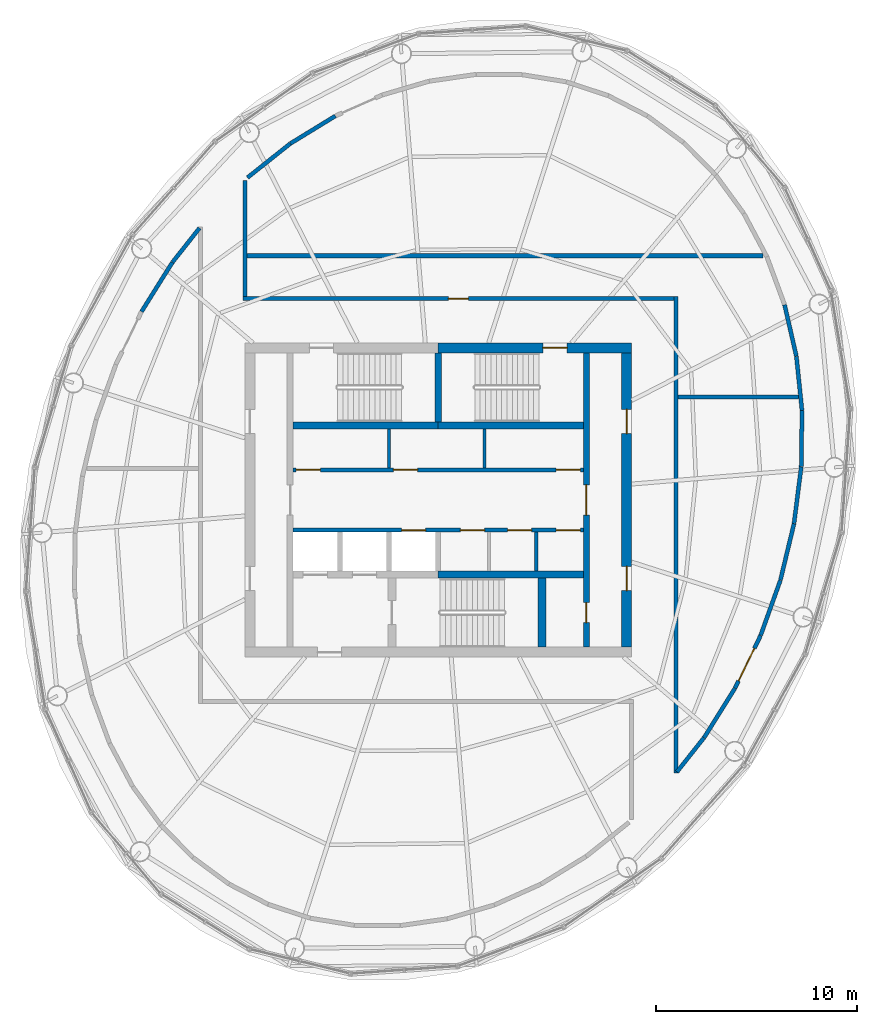
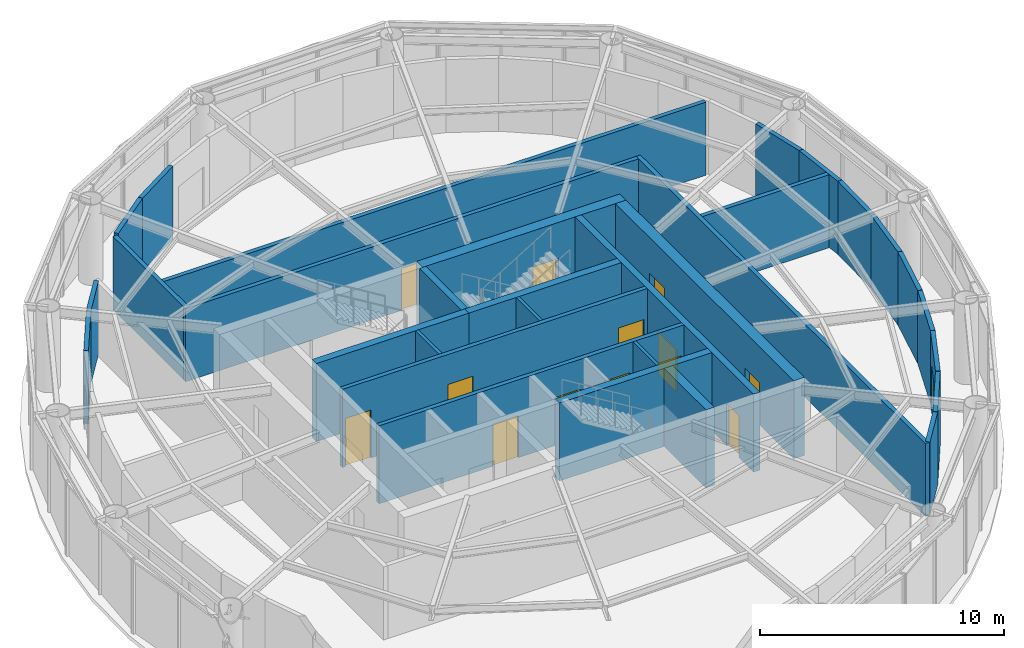
# One storey, part 9 of 11: 31 walls, 14 doors, 14 openings.
"""IFC4 building model written with IfcOpenShell, lengths in metres."""

from ifc_helpers import new_model, si_unit, direction, frame, frame_2d, origin, place, context, subcontext, project, spatial, rectangle, extrude, material, layer, layer_set, type_object, element, fill, save


model = new_model("IFC4")

# Units and contexts
model_context = context("Model", 3, precision=1e-05, world=origin(), true_north=direction((0.0, 1.0)))
body_context = subcontext(model_context, "Body", "Model", "MODEL_VIEW")
ifc_project = project(units=[si_unit("LENGTHUNIT", "METRE"), si_unit("AREAUNIT", "SQUARE_METRE"), si_unit("VOLUMEUNIT", "CUBIC_METRE"), si_unit("PLANEANGLEUNIT", "RADIAN"), si_unit("MASSUNIT", "GRAM", prefix="KILO")], contexts=[model_context])

# Site, building, storey
site_placement = place(None, origin())
site = spatial("IfcSite", under=ifc_project, at=site_placement, CompositionType="ELEMENT")
building_placement = place(site_placement, origin())
building = spatial("IfcBuilding", under=site, at=building_placement, Name="Vermilion Reach Broadcast Tower", CompositionType="ELEMENT")
storey_placement = place(building_placement, frame((0.0, 0.0, 321.300048828125)))
storey = spatial("IfcBuildingStorey", under=building, at=storey_placement, Name="L80 CROWN", CompositionType="ELEMENT", Elevation=321.300048828125)

# Wall, openings, doors
ifc_material_1 = material(Name="Concrete C50", Category="concrete")
ifc_layer_1 = layer(ifc_material_1, 0.300048828125)
ifc_layer_set_1 = layer_set([ifc_layer_1], Name="Core inner wall 300 mm Concrete C50")
wall_type_1 = type_object("IfcWallType", Name="Core inner wall 300 mm Concrete C50", PredefinedType="SHEAR", material=ifc_layer_set_1)
wall_1_placement = place(storey_placement, frame((1.35009765625, -7.300048828125, 0.0), z_axis=(0.0, 0.0, 1.0), x_axis=(0.0, 1.0, 0.0)))
wall_1 = element("IfcWall", 1, at=wall_1_placement, inside=storey, type_object=wall_type_1, Name="L80 CROWN core wall ewE", PredefinedType="SHEAR", context=body_context, shape_type="SweptSolid", body=[
    extrude(rectangle(XDim=14.60009765625, YDim=0.300048828125, at=frame_2d((7.300048828125, 0.0))), origin(), (0.0, 0.0, 1.0), 3.89990234375),
])
opening_1_placement = place(wall_1_placement, frame((1.2099609375, 0.0, 0.0)))
opening_1 = element("IfcOpeningElement", 2, at=opening_1_placement, cuts=wall_1, Name="Opening D05", PredefinedType="OPENING", context=body_context, shape_type="SweptSolid", body=[
    extrude(rectangle(XDim=1.0, YDim=2.10009765625, at=frame_2d((0.5, 1.050048828125))), frame((0.0, 0.159912109375, 0.0), z_axis=(0.0, -1.0, 0.0), x_axis=(1.0, 0.0, 0.0)), (0.0, 0.0, 1.0), 0.320068359375),
])
opening_2_placement = place(wall_1_placement, frame((6.550048828125, 0.0, 0.0)))
opening_2 = element("IfcOpeningElement", 3, at=opening_2_placement, cuts=wall_1, Name="Opening D04", PredefinedType="OPENING", context=body_context, shape_type="SweptSolid", body=[
    extrude(rectangle(XDim=1.5, YDim=2.10009765625, at=frame_2d((0.75, 1.050048828125))), frame((0.0, 0.159912109375, 0.0), z_axis=(0.0, -1.0, 0.0), x_axis=(1.0, 0.0, 0.0)), (0.0, 0.0, 1.0), 0.320068359375),
])
ifc_material_2 = material(Name="Painted steel fire door", Category="steel")
door_type_1 = type_object("IfcDoorType", Name="Lift lobby door 1500 x 2100", OperationType="DOUBLE_DOOR_SINGLE_SWING", PredefinedType="NOTDEFINED", material=ifc_material_2)
door_1_placement = place(opening_2_placement, origin())
door_1 = element("IfcDoor", 4, at=door_1_placement, inside=storey, type_object=door_type_1, Name="L80 CROWN band door BE", OperationType="DOUBLE_DOOR_SINGLE_SWING", OverallHeight=2.10009765625, OverallWidth=1.5, PredefinedType="NOTDEFINED", context=body_context, shape_type="SweptSolid", body=[
    extrude(rectangle(XDim=1.5, YDim=2.10009765625, at=frame_2d((0.75, 1.050048828125))), frame((0.0, 0.02490234375, 0.0), z_axis=(0.0, -1.0, 0.0), x_axis=(1.0, 0.0, 0.0)), (0.0, 0.0, 1.0), 0.050048828125),
])
fill(opening_2, door_1)
ifc_material_3 = material(Name="Timber door", Category="wood")
door_type_2 = type_object("IfcDoorType", Name="Room door 1000 x 2100", OperationType="NOTDEFINED", PredefinedType="NOTDEFINED", material=ifc_material_3)
door_2_placement = place(opening_1_placement, origin())
door_2 = element("IfcDoor", 5, at=door_2_placement, inside=storey, type_object=door_type_2, Name="L80 CROWN door SER", OperationType="SINGLE_SWING_LEFT", OverallHeight=2.10009765625, OverallWidth=1.0, PredefinedType="NOTDEFINED", context=body_context, shape_type="SweptSolid", body=[
    extrude(rectangle(XDim=1.0, YDim=2.10009765625, at=frame_2d((0.5, 1.050048828125))), frame((0.0, 0.02490234375, 0.0), z_axis=(0.0, -1.0, 0.0), x_axis=(1.0, 0.0, 0.0)), (0.0, 0.0, 1.0), 0.050048828125),
])
fill(opening_1, door_2)

# Walls
wall_2_placement = place(storey_placement, frame((-6.0, 3.8798828125, 0.0), z_axis=(0.0, 0.0, 1.0), x_axis=(0.0, 1.0, 0.0)))
element("IfcWall", 6, at=wall_2_placement, inside=storey, type_object=wall_type_1, Name="L80 CROWN core wall wc", PredefinedType="SHEAR", context=body_context, shape_type="SweptSolid", body=[
    extrude(rectangle(XDim=3.420166015625, YDim=0.300048828125, at=frame_2d((1.7099609375, 0.0))), origin(), (0.0, 0.0, 1.0), 3.89990234375),
])
ifc_material_4 = material(Name="Concrete C50", Category="concrete")
ifc_layer_2 = layer(ifc_material_4, 0.35009765625)
ifc_layer_set_2 = layer_set([ifc_layer_2], Name="Core inner wall 350 mm Concrete C50")
wall_type_2 = type_object("IfcWallType", Name="Core inner wall 350 mm Concrete C50", PredefinedType="SHEAR", material=ifc_layer_set_2)
for number, where, z_axis, x_axis, name in (
    (7, (-13.199951171875, 3.705078125, 0.0), (0.0, 0.0, 1.0), (1.0, 0.0, 0.0), "L80 CROWN core wall winW"),
    (8, (-6.0, 3.705078125, 0.0), (0.0, 0.0, 1.0), (1.0, 0.0, 0.0), "L80 CROWN core wall winE"),
    (9, (-6.0, -3.705078125, 0.0), (0.0, 0.0, 1.0), (1.0, 0.0, 0.0), "L80 CROWN core wall wisE"),
):
    element("IfcWall", number, at=place(storey_placement, frame(where, z_axis=z_axis, x_axis=x_axis)), inside=storey, type_object=wall_type_2, Name=name, PredefinedType="SHEAR", context=body_context, shape_type="SweptSolid", body=[
        extrude(rectangle(XDim=7.199951171875, YDim=0.35009765625, at=frame_2d((3.60009765625, 0.0))), origin(), (0.0, 0.0, 1.0), 3.89990234375),
    ])
ifc_material_5 = material(Name="Concrete C50", Category="concrete")
ifc_layer_3 = layer(ifc_material_5, 0.39990234375)
ifc_layer_set_3 = layer_set([ifc_layer_3], Name="Core inner wall 400 mm Concrete C50")
wall_type_3 = type_object("IfcWallType", Name="Core inner wall 400 mm Concrete C50", PredefinedType="SHEAR", material=ifc_layer_set_3)
wall_3_placement = place(storey_placement, frame((-0.85009765625, -3.8798828125, 0.0), z_axis=(0.0, 0.0, 1.0), x_axis=(0.0, -1.0, 0.0)))
element("IfcWall", 10, at=wall_3_placement, inside=storey, type_object=wall_type_3, Name="L80 CROWN core wall wb", PredefinedType="SHEAR", context=body_context, shape_type="SweptSolid", body=[
    extrude(rectangle(XDim=3.420166015625, YDim=0.39990234375, at=frame_2d((1.7099609375, 0.0))), origin(), (0.0, 0.0, 1.0), 3.89990234375),
])

# Wall, opening, door
ifc_material_6 = material(Name="Concrete C50", Category="concrete")
ifc_layer_4 = layer(ifc_material_6, 0.5)
ifc_layer_set_4 = layer_set([ifc_layer_4], Name="Core outer wall 500 mm Concrete C50")
wall_type_4 = type_object("IfcWallType", Name="Core outer wall 500 mm Concrete C50", PredefinedType="SHEAR", material=ifc_layer_set_4)
wall_4_placement = place(storey_placement, frame((3.60009765625, 7.550048828125, 0.0), z_axis=(0.0, 0.0, 1.0), x_axis=(-1.0, 0.0, 0.0)))
wall_4 = element("IfcWall", 11, at=wall_4_placement, inside=storey, type_object=wall_type_4, Name="L80 CROWN core wall onE", PredefinedType="SHEAR", context=body_context, shape_type="SweptSolid", body=[
    extrude(rectangle(XDim=9.60009765625, YDim=0.5, at=frame_2d((4.800048828125, 0.0))), origin(), (0.0, 0.0, 1.0), 3.89990234375),
])
opening_3_placement = place(wall_4_placement, frame((3.199951171875, 0.0, 0.0)))
opening_3 = element("IfcOpeningElement", 12, at=opening_3_placement, cuts=wall_4, Name="Opening D01", PredefinedType="OPENING", context=body_context, shape_type="SweptSolid", body=[
    extrude(rectangle(XDim=1.199951171875, YDim=2.10009765625, at=frame_2d((0.60009765625, 1.050048828125))), frame((0.0, 0.260009765625, 0.0), z_axis=(0.0, -1.0, 0.0), x_axis=(1.0, 0.0, 0.0)), (0.0, 0.0, 1.0), 0.52001953125),
])
ifc_material_7 = material(Name="Painted steel fire door", Category="steel")
door_type_3 = type_object("IfcDoorType", Name="Stair door 1200 x 2100", OperationType="DOUBLE_DOOR_SINGLE_SWING", PredefinedType="NOTDEFINED", material=ifc_material_7)
door_3_placement = place(opening_3_placement, origin())
door_3 = element("IfcDoor", 13, at=door_3_placement, inside=storey, type_object=door_type_3, Name="L80 CROWN stair door ST2", OperationType="DOUBLE_DOOR_SINGLE_SWING", OverallHeight=2.10009765625, OverallWidth=1.199951171875, PredefinedType="NOTDEFINED", context=body_context, shape_type="SweptSolid", body=[
    extrude(rectangle(XDim=1.199951171875, YDim=2.10009765625, at=frame_2d((0.60009765625, 1.050048828125))), frame((0.0, 0.02490234375, 0.0), z_axis=(0.0, -1.0, 0.0), x_axis=(1.0, 0.0, 0.0)), (0.0, 0.0, 1.0), 0.050048828125),
])
fill(opening_3, door_3)

# Wall, openings, doors
wall_5_placement = place(storey_placement, frame((3.35009765625, -7.300048828125, 0.0), z_axis=(0.0, 0.0, 1.0), x_axis=(0.0, 1.0, 0.0)))
wall_5 = element("IfcWall", 14, at=wall_5_placement, inside=storey, type_object=wall_type_4, Name="L80 CROWN core wall oe", PredefinedType="SHEAR", context=body_context, shape_type="SweptSolid", body=[
    extrude(rectangle(XDim=14.60009765625, YDim=0.5, at=frame_2d((7.300048828125, 0.0))), origin(), (0.0, 0.0, 1.0), 3.89990234375),
])
opening_4_placement = place(wall_5_placement, frame((2.800048828125, 0.0, 0.0)))
opening_4 = element("IfcOpeningElement", 15, at=opening_4_placement, cuts=wall_5, Name="Opening D03", PredefinedType="OPENING", context=body_context, shape_type="SweptSolid", body=[
    extrude(rectangle(XDim=1.199951171875, YDim=2.10009765625, at=frame_2d((0.60009765625, 1.050048828125))), frame((0.0, 0.260009765625, 0.0), z_axis=(0.0, -1.0, 0.0), x_axis=(1.0, 0.0, 0.0)), (0.0, 0.0, 1.0), 0.52001953125),
])
opening_5_placement = place(wall_5_placement, frame((10.60009765625, 0.0, 0.0)))
opening_5 = element("IfcOpeningElement", 16, at=opening_5_placement, cuts=wall_5, Name="Opening D03", PredefinedType="OPENING", context=body_context, shape_type="SweptSolid", body=[
    extrude(rectangle(XDim=1.199951171875, YDim=2.10009765625, at=frame_2d((0.60009765625, 1.050048828125))), frame((0.0, 0.260009765625, 0.0), z_axis=(0.0, -1.0, 0.0), x_axis=(1.0, 0.0, 0.0)), (0.0, 0.0, 1.0), 0.52001953125),
])
ifc_material_8 = material(Name="Painted steel fire door", Category="steel")
door_type_4 = type_object("IfcDoorType", Name="Core lobby door 1200 x 2100", OperationType="DOUBLE_DOOR_SINGLE_SWING", PredefinedType="NOTDEFINED", material=ifc_material_8)
door_4_placement = place(opening_4_placement, origin())
door_4 = element("IfcDoor", 17, at=door_4_placement, inside=storey, type_object=door_type_4, Name="L80 CROWN slot door E0", OperationType="DOUBLE_DOOR_SINGLE_SWING", OverallHeight=2.10009765625, OverallWidth=1.199951171875, PredefinedType="NOTDEFINED", context=body_context, shape_type="SweptSolid", body=[
    extrude(rectangle(XDim=1.199951171875, YDim=2.10009765625, at=frame_2d((0.60009765625, 1.050048828125))), frame((0.0, 0.02490234375, 0.0), z_axis=(0.0, -1.0, 0.0), x_axis=(1.0, 0.0, 0.0)), (0.0, 0.0, 1.0), 0.050048828125),
])
fill(opening_4, door_4)
door_5_placement = place(opening_5_placement, origin())
door_5 = element("IfcDoor", 18, at=door_5_placement, inside=storey, type_object=door_type_4, Name="L80 CROWN slot door E1", OperationType="DOUBLE_DOOR_SINGLE_SWING", OverallHeight=2.10009765625, OverallWidth=1.199951171875, PredefinedType="NOTDEFINED", context=body_context, shape_type="SweptSolid", body=[
    extrude(rectangle(XDim=1.199951171875, YDim=2.10009765625, at=frame_2d((0.60009765625, 1.050048828125))), frame((0.0, 0.02490234375, 0.0), z_axis=(0.0, -1.0, 0.0), x_axis=(1.0, 0.0, 0.0)), (0.0, 0.0, 1.0), 0.050048828125),
])
fill(opening_5, door_5)

# Walls
ifc_material_9 = material(Name="Masonry block", Category="masonry")
ifc_layer_5 = layer(ifc_material_9, 0.14990234375)
ifc_layer_set_5 = layer_set([ifc_layer_5], Name="Core partition wall 150 mm Masonry block")
wall_type_5 = type_object("IfcWallType", Name="Core partition wall 150 mm Masonry block", PredefinedType="PARTITIONING", material=ifc_layer_set_5)
for number, where, z_axis, x_axis, name in (
    (19, (-8.447998046875, 1.60009765625, 0.0), (0.0, 0.0, 1.0), (0.0, 1.0, 0.0), "L80 CROWN core wall prN-2448"),
    (20, (-3.696044921875, 1.60009765625, 0.0), (0.0, 0.0, 1.0), (0.0, 1.0, 0.0), "L80 CROWN core wall prN2304"),
    (21, (-1.134765625, -1.60009765625, 0.0), (0.0, 0.0, 1.0), (0.0, -1.0, 0.0), "L80 CROWN core wall prS4865"),
):
    element("IfcWall", number, at=place(storey_placement, frame(where, z_axis=z_axis, x_axis=x_axis)), inside=storey, type_object=wall_type_5, Name=name, PredefinedType="PARTITIONING", context=body_context, shape_type="SweptSolid", body=[
        extrude(rectangle(XDim=1.929931640625, YDim=0.14990234375, at=frame_2d((0.96484375, 0.0))), origin(), (0.0, 0.0, 1.0), 3.89990234375),
    ])

# Wall, openings, doors
ifc_material_10 = material(Name="Concrete C50", Category="concrete")
ifc_layer_6 = layer(ifc_material_10, 0.199951171875)
ifc_layer_set_6 = layer_set([ifc_layer_6], Name="Core shaft wall 200 mm Concrete C50")
wall_type_6 = type_object("IfcWallType", Name="Core shaft wall 200 mm Concrete C50", PredefinedType="SHEAR", material=ifc_layer_set_6)
wall_6_placement = place(storey_placement, frame((-13.199951171875, 1.5, 0.0), z_axis=(0.0, 0.0, 1.0), x_axis=(1.0, 0.0, 0.0)))
wall_6 = element("IfcWall", 22, at=wall_6_placement, inside=storey, type_object=wall_type_6, Name="L80 CROWN core wall fn", PredefinedType="SHEAR", context=body_context, shape_type="SweptSolid", body=[
    extrude(rectangle(XDim=14.39990234375, YDim=0.199951171875, at=frame_2d((7.199951171875, 0.0))), origin(), (0.0, 0.0, 1.0), 3.89990234375),
])
opening_6_placement = place(wall_6_placement, frame((0.14990234375, 0.0, 0.0)))
opening_6 = element("IfcOpeningElement", 23, at=opening_6_placement, cuts=wall_6, Name="Opening D09", PredefinedType="OPENING", context=body_context, shape_type="SweptSolid", body=[
    extrude(rectangle(XDim=1.199951171875, YDim=2.39990234375, at=frame_2d((0.60009765625, 1.199951171875))), frame((0.0, 0.10986328125, 0.0), z_axis=(0.0, -1.0, 0.0), x_axis=(1.0, 0.0, 0.0)), (0.0, 0.0, 1.0), 0.219970703125),
])
opening_7_placement = place(wall_6_placement, frame((4.97705078125, 0.0, 0.0)))
opening_7 = element("IfcOpeningElement", 24, at=opening_7_placement, cuts=wall_6, Name="Opening D09", PredefinedType="OPENING", context=body_context, shape_type="SweptSolid", body=[
    extrude(rectangle(XDim=1.199951171875, YDim=2.39990234375, at=frame_2d((0.60009765625, 1.199951171875))), frame((0.0, 0.10986328125, 0.0), z_axis=(0.0, -1.0, 0.0), x_axis=(1.0, 0.0, 0.0)), (0.0, 0.0, 1.0), 0.219970703125),
])
opening_8_placement = place(wall_6_placement, frame((13.050048828125, 0.0, 0.0)))
opening_8 = element("IfcOpeningElement", 25, at=opening_8_placement, cuts=wall_6, Name="Opening D09", PredefinedType="OPENING", context=body_context, shape_type="SweptSolid", body=[
    extrude(rectangle(XDim=1.199951171875, YDim=2.39990234375, at=frame_2d((0.60009765625, 1.199951171875))), frame((0.0, 0.10986328125, 0.0), z_axis=(0.0, -1.0, 0.0), x_axis=(1.0, 0.0, 0.0)), (0.0, 0.0, 1.0), 0.219970703125),
])
ifc_material_11 = material(Name="Painted steel fire door", Category="steel")
door_type_5 = type_object("IfcDoorType", Name="Plant room door 1200 x 2400", OperationType="DOUBLE_DOOR_SINGLE_SWING", PredefinedType="NOTDEFINED", material=ifc_material_11)
door_6_placement = place(opening_6_placement, origin())
door_6 = element("IfcDoor", 26, at=door_6_placement, inside=storey, type_object=door_type_5, Name="L80 CROWN door Plant room", OperationType="DOUBLE_DOOR_SINGLE_SWING", OverallHeight=2.39990234375, OverallWidth=1.199951171875, PredefinedType="NOTDEFINED", context=body_context, shape_type="SweptSolid", body=[
    extrude(rectangle(XDim=1.199951171875, YDim=2.39990234375, at=frame_2d((0.60009765625, 1.199951171875))), frame((0.0, 0.02490234375, 0.0), z_axis=(0.0, -1.0, 0.0), x_axis=(1.0, 0.0, 0.0)), (0.0, 0.0, 1.0), 0.050048828125),
])
fill(opening_6, door_6)
door_7_placement = place(opening_7_placement, origin())
door_7 = element("IfcDoor", 27, at=door_7_placement, inside=storey, type_object=door_type_5, Name="L80 CROWN door Plant room", OperationType="DOUBLE_DOOR_SINGLE_SWING", OverallHeight=2.39990234375, OverallWidth=1.199951171875, PredefinedType="NOTDEFINED", context=body_context, shape_type="SweptSolid", body=[
    extrude(rectangle(XDim=1.199951171875, YDim=2.39990234375, at=frame_2d((0.60009765625, 1.199951171875))), frame((0.0, 0.02490234375, 0.0), z_axis=(0.0, -1.0, 0.0), x_axis=(1.0, 0.0, 0.0)), (0.0, 0.0, 1.0), 0.050048828125),
])
fill(opening_7, door_7)
door_8_placement = place(opening_8_placement, origin())
door_8 = element("IfcDoor", 28, at=door_8_placement, inside=storey, type_object=door_type_5, Name="L80 CROWN door Plant room", OperationType="DOUBLE_DOOR_SINGLE_SWING", OverallHeight=2.39990234375, OverallWidth=1.199951171875, PredefinedType="NOTDEFINED", context=body_context, shape_type="SweptSolid", body=[
    extrude(rectangle(XDim=1.199951171875, YDim=2.39990234375, at=frame_2d((0.60009765625, 1.199951171875))), frame((0.0, 0.02490234375, 0.0), z_axis=(0.0, -1.0, 0.0), x_axis=(1.0, 0.0, 0.0)), (0.0, 0.0, 1.0), 0.050048828125),
])
fill(opening_8, door_8)

wall_7_placement = place(storey_placement, frame((1.199951171875, -1.5, 0.0), z_axis=(0.0, 0.0, 1.0), x_axis=(-1.0, 0.0, 0.0)))
wall_7 = element("IfcWall", 29, at=wall_7_placement, inside=storey, type_object=wall_type_6, Name="L80 CROWN core wall fs", PredefinedType="SHEAR", context=body_context, shape_type="SweptSolid", body=[
    extrude(rectangle(XDim=14.39990234375, YDim=0.199951171875, at=frame_2d((7.199951171875, 0.0))), origin(), (0.0, 0.0, 1.0), 3.89990234375),
])
opening_9_placement = place(wall_7_placement, frame((7.82080078125, 0.0, 0.0)))
opening_9 = element("IfcOpeningElement", 30, at=opening_9_placement, cuts=wall_7, Name="Opening LD1", PredefinedType="OPENING", context=body_context, shape_type="SweptSolid", body=[
    extrude(rectangle(XDim=1.199951171875, YDim=2.10009765625, at=frame_2d((0.60009765625, 1.050048828125))), frame((0.0, 0.10986328125, 0.0), z_axis=(0.0, -1.0, 0.0), x_axis=(1.0, 0.0, 0.0)), (0.0, 0.0, 1.0), 0.219970703125),
])
opening_10_placement = place(wall_7_placement, frame((4.89453125, 0.0, 0.0)))
opening_10 = element("IfcOpeningElement", 31, at=opening_10_placement, cuts=wall_7, Name="Opening D09", PredefinedType="OPENING", context=body_context, shape_type="SweptSolid", body=[
    extrude(rectangle(XDim=1.199951171875, YDim=2.39990234375, at=frame_2d((0.60009765625, 1.199951171875))), frame((0.0, 0.10986328125, 0.0), z_axis=(0.0, -1.0, 0.0), x_axis=(1.0, 0.0, 0.0)), (0.0, 0.0, 1.0), 0.219970703125),
])
opening_11_placement = place(wall_7_placement, frame((2.559814453125, 0.0, 0.0)))
opening_11 = element("IfcOpeningElement", 32, at=opening_11_placement, cuts=wall_7, Name="Opening D09", PredefinedType="OPENING", context=body_context, shape_type="SweptSolid", body=[
    extrude(rectangle(XDim=1.199951171875, YDim=2.39990234375, at=frame_2d((0.60009765625, 1.199951171875))), frame((0.0, 0.10986328125, 0.0), z_axis=(0.0, -1.0, 0.0), x_axis=(1.0, 0.0, 0.0)), (0.0, 0.0, 1.0), 0.219970703125),
])
opening_12_placement = place(wall_7_placement, frame((0.14990234375, 0.0, 0.0)))
opening_12 = element("IfcOpeningElement", 33, at=opening_12_placement, cuts=wall_7, Name="Opening D09", PredefinedType="OPENING", context=body_context, shape_type="SweptSolid", body=[
    extrude(rectangle(XDim=1.199951171875, YDim=2.39990234375, at=frame_2d((0.60009765625, 1.199951171875))), frame((0.0, 0.10986328125, 0.0), z_axis=(0.0, -1.0, 0.0), x_axis=(1.0, 0.0, 0.0)), (0.0, 0.0, 1.0), 0.219970703125),
])
ifc_material_12 = material(Name="Stainless steel", Category="steel")
door_type_6 = type_object("IfcDoorType", Name="Landing door 1200 x 2100", OperationType="DOUBLE_DOOR_SLIDING", PredefinedType="NOTDEFINED", material=ifc_material_12)
door_9_placement = place(opening_9_placement, origin())
door_9 = element("IfcDoor", 34, at=door_9_placement, inside=storey, type_object=door_type_6, Name="L80 CROWN landing door SV1", OperationType="DOUBLE_DOOR_SLIDING", OverallHeight=2.10009765625, OverallWidth=1.199951171875, PredefinedType="NOTDEFINED", context=body_context, shape_type="SweptSolid", body=[
    extrude(rectangle(XDim=1.199951171875, YDim=2.10009765625, at=frame_2d((0.60009765625, 1.050048828125))), frame((0.0, 0.02490234375, 0.0), z_axis=(0.0, -1.0, 0.0), x_axis=(1.0, 0.0, 0.0)), (0.0, 0.0, 1.0), 0.050048828125),
])
fill(opening_9, door_9)
door_10_placement = place(opening_10_placement, origin())
door_10 = element("IfcDoor", 35, at=door_10_placement, inside=storey, type_object=door_type_5, Name="L80 CROWN door Plant room", OperationType="DOUBLE_DOOR_SINGLE_SWING", OverallHeight=2.39990234375, OverallWidth=1.199951171875, PredefinedType="NOTDEFINED", context=body_context, shape_type="SweptSolid", body=[
    extrude(rectangle(XDim=1.199951171875, YDim=2.39990234375, at=frame_2d((0.60009765625, 1.199951171875))), frame((0.0, 0.02490234375, 0.0), z_axis=(0.0, -1.0, 0.0), x_axis=(1.0, 0.0, 0.0)), (0.0, 0.0, 1.0), 0.050048828125),
])
fill(opening_10, door_10)
door_11_placement = place(opening_11_placement, origin())
door_11 = element("IfcDoor", 36, at=door_11_placement, inside=storey, type_object=door_type_5, Name="L80 CROWN door Plant room", OperationType="DOUBLE_DOOR_SINGLE_SWING", OverallHeight=2.39990234375, OverallWidth=1.199951171875, PredefinedType="NOTDEFINED", context=body_context, shape_type="SweptSolid", body=[
    extrude(rectangle(XDim=1.199951171875, YDim=2.39990234375, at=frame_2d((0.60009765625, 1.199951171875))), frame((0.0, 0.02490234375, 0.0), z_axis=(0.0, -1.0, 0.0), x_axis=(1.0, 0.0, 0.0)), (0.0, 0.0, 1.0), 0.050048828125),
])
fill(opening_11, door_11)
door_12_placement = place(opening_12_placement, origin())
door_12 = element("IfcDoor", 37, at=door_12_placement, inside=storey, type_object=door_type_5, Name="L80 CROWN door Plant room", OperationType="DOUBLE_DOOR_SINGLE_SWING", OverallHeight=2.39990234375, OverallWidth=1.199951171875, PredefinedType="NOTDEFINED", context=body_context, shape_type="SweptSolid", body=[
    extrude(rectangle(XDim=1.199951171875, YDim=2.39990234375, at=frame_2d((0.60009765625, 1.199951171875))), frame((0.0, 0.02490234375, 0.0), z_axis=(0.0, -1.0, 0.0), x_axis=(1.0, 0.0, 0.0)), (0.0, 0.0, 1.0), 0.050048828125),
])
fill(opening_12, door_12)

# Wall, opening, door
ifc_material_13 = material(Name="Gypsum board shaft wall")
ifc_layer_7 = layer(ifc_material_13, 0.199951171875)
ifc_layer_set_7 = layer_set([ifc_layer_7], Name="Plant room wall 200")
wall_type_7 = type_object("IfcWallType", Name="Plant room wall 200", PredefinedType="PARTITIONING", material=ifc_layer_set_7)
wall_8_placement = place(storey_placement, frame((5.699951171875, 10.0, 0.0), z_axis=(0.0, 0.0, 1.0), x_axis=(-1.0, 0.0, 0.0)))
wall_8 = element("IfcWall", 38, at=wall_8_placement, inside=storey, type_object=wall_type_7, Name="sp.wall.L80 CROWN.000", PredefinedType="PARTITIONING", context=body_context, shape_type="SweptSolid", body=[
    extrude(rectangle(XDim=21.400146484375, YDim=0.199951171875, at=frame_2d((10.7001953125, 0.0))), origin(), (0.0, 0.0, 1.0), 3.64990234375),
])
opening_13_placement = place(wall_8_placement, frame((10.2001953125, 0.0, 0.0)))
opening_13 = element("IfcOpeningElement", 39, at=opening_13_placement, cuts=wall_8, Name="Opening D54", PredefinedType="OPENING", context=body_context, shape_type="SweptSolid", body=[
    extrude(rectangle(XDim=1.0, YDim=2.10009765625, at=frame_2d((0.5, 1.050048828125))), frame((0.0, 0.10986328125, 0.0), z_axis=(0.0, -1.0, 0.0), x_axis=(1.0, 0.0, 0.0)), (0.0, 0.0, 1.0), 0.219970703125),
])
ifc_material_14 = material(Name="Timber and steel door set", Category="steel")
door_type_7 = type_object("IfcDoorType", Name="Fire door 1000x2100", OperationType="NOTDEFINED", PredefinedType="DOOR", material=ifc_material_14)
door_13_placement = place(opening_13_placement, origin())
door_13 = element("IfcDoor", 40, at=door_13_placement, inside=storey, type_object=door_type_7, Name="sp.door.L80 CROWN.001", OperationType="SINGLE_SWING_LEFT", OverallHeight=2.10009765625, OverallWidth=1.0, PredefinedType="DOOR", context=body_context, shape_type="SweptSolid", body=[
    extrude(rectangle(XDim=1.0, YDim=2.10009765625, at=frame_2d((0.5, 1.050048828125))), frame((0.0, 0.02490234375, 0.0), z_axis=(0.0, -1.0, 0.0), x_axis=(1.0, 0.0, 0.0)), (0.0, 0.0, 1.0), 0.050048828125),
])
fill(opening_13, door_13)

# Walls
wall_9_placement = place(storey_placement, frame((5.800048828125, -13.5576171875, 0.0), z_axis=(0.0, 0.0, 1.0), x_axis=(0.0, 1.0, 0.0)))
element("IfcWall", 41, at=wall_9_placement, inside=storey, type_object=wall_type_7, Name="sp.wall.L80 CROWN.001", PredefinedType="PARTITIONING", context=body_context, shape_type="SweptSolid", body=[
    extrude(rectangle(XDim=23.65771484375, YDim=0.199951171875, at=frame_2d((11.828857421875, 0.0))), origin(), (0.0, 0.0, 1.0), 3.64990234375),
])
wall_10_placement = place(storey_placement, frame((-15.60009765625, 10.10009765625, 0.0), z_axis=(0.0, 0.0, 1.0), x_axis=(0.0, 1.0, 0.0)))
element("IfcWall", 42, at=wall_10_placement, inside=storey, type_object=wall_type_7, Name="sp.wall.L80 CROWN.004", PredefinedType="PARTITIONING", context=body_context, shape_type="SweptSolid", body=[
    extrude(rectangle(XDim=5.767333984375, YDim=0.199951171875, at=frame_2d((2.8837890625, 0.0))), origin(), (0.0, 0.0, 1.0), 3.64990234375),
])
wall_11_placement = place(storey_placement, frame((-15.5, 12.123291015625, 0.0), z_axis=(0.0, 0.0, 1.0), x_axis=(1.0, 0.0, 0.0)))
element("IfcWall", 43, at=wall_11_placement, inside=storey, type_object=wall_type_7, Name="sp.wall.L80 CROWN.006", PredefinedType="PARTITIONING", context=body_context, shape_type="SweptSolid", body=[
    extrude(rectangle(XDim=25.61669921875, YDim=0.199951171875, at=frame_2d((12.808349609375, 0.0))), origin(), (0.0, 0.0, 1.0), 3.64990234375),
])
wall_12_placement = place(storey_placement, frame((-15.467529296875, 16.0009765625, 0.0), z_axis=(0.0, 0.0, 1.0), x_axis=(0.782665833332, 0.62244212047, 0.0)))
element("IfcWall", 44, at=wall_12_placement, inside=storey, type_object=wall_type_7, Name="sp.wall.L80 CROWN.009", PredefinedType="PARTITIONING", context=body_context, shape_type="SweptSolid", body=[
    extrude(rectangle(XDim=2.712158203125, YDim=0.199951171875, at=frame_2d((1.35595703125, 0.0))), origin(), (0.0, 0.0, 1.0), 3.64990234375),
])
wall_13_placement = place(storey_placement, frame((-13.334228515625, 17.69580078125, 0.0), z_axis=(0.0, 0.0, 1.0), x_axis=(0.852667029926, 0.522454721557, 0.0)))
element("IfcWall", 45, at=wall_13_placement, inside=storey, type_object=wall_type_7, Name="sp.wall.L80 CROWN.010", PredefinedType="PARTITIONING", context=body_context, shape_type="SweptSolid", body=[
    extrude(rectangle(XDim=2.613525390625, YDim=0.199951171875, at=frame_2d((1.306640625, 0.0))), origin(), (0.0, 0.0, 1.0), 3.64990234375),
])
wall_14_placement = place(storey_placement, frame((5.89990234375, 5.123291015625, 0.0), z_axis=(0.0, 0.0, 1.0), x_axis=(1.0, 0.0, 0.0)))
element("IfcWall", 46, at=wall_14_placement, inside=storey, type_object=wall_type_7, Name="sp.wall.L80 CROWN.020", PredefinedType="PARTITIONING", context=body_context, shape_type="SweptSolid", body=[
    extrude(rectangle(XDim=5.973876953125, YDim=0.199951171875, at=frame_2d((2.98681640625, 0.0))), origin(), (0.0, 0.0, 1.0), 3.64990234375),
])
wall_15_placement = place(storey_placement, frame((11.19091796875, 9.688720703125, 0.0), z_axis=(0.0, 0.0, 1.0), x_axis=(0.223324390074, -0.974744180182, 0.0)))
element("IfcWall", 47, at=wall_15_placement, inside=storey, type_object=wall_type_7, Name="sp.wall.L80 CROWN.022", PredefinedType="PARTITIONING", context=body_context, shape_type="SweptSolid", body=[
    extrude(rectangle(XDim=2.61376953125, YDim=0.199951171875, at=frame_2d((1.306884765625, 0.0))), origin(), (0.0, 0.0, 1.0), 3.64990234375),
])
wall_16_placement = place(storey_placement, frame((11.77734375, 7.12890625, 0.0), z_axis=(0.0, 0.0, 1.0), x_axis=(0.102877560919, -0.994694027055, 0.0)))
element("IfcWall", 48, at=wall_16_placement, inside=storey, type_object=wall_type_7, Name="sp.wall.L80 CROWN.023", PredefinedType="PARTITIONING", context=body_context, shape_type="SweptSolid", body=[
    extrude(rectangle(XDim=2.70068359375, YDim=0.199951171875, at=frame_2d((1.350341796875, 0.0))), origin(), (0.0, 0.0, 1.0), 3.64990234375),
])
wall_17_placement = place(storey_placement, frame((12.017822265625, 1.655517578125, 0.0), z_axis=(0.0, 0.0, 1.0), x_axis=(0.013897320686, 0.999903427576, 0.0)))
element("IfcWall", 49, at=wall_17_placement, inside=storey, type_object=wall_type_7, Name="sp.wall.L80 CROWN.024", PredefinedType="PARTITIONING", context=body_context, shape_type="SweptSolid", body=[
    extrude(rectangle(XDim=2.775634765625, YDim=0.199951171875, at=frame_2d((1.3876953125, 0.0))), origin(), (0.0, 0.0, 1.0), 3.64990234375),
])
wall_18_placement = place(storey_placement, frame((11.659423828125, -1.1689453125, 0.0), z_axis=(0.0, 0.0, 1.0), x_axis=(0.126302032537, 0.991991832919, 0.0)))
element("IfcWall", 50, at=wall_18_placement, inside=storey, type_object=wall_type_7, Name="sp.wall.L80 CROWN.025", PredefinedType="PARTITIONING", context=body_context, shape_type="SweptSolid", body=[
    extrude(rectangle(XDim=2.835693359375, YDim=0.199951171875, at=frame_2d((1.41796875, 0.0))), origin(), (0.0, 0.0, 1.0), 3.64990234375),
])
wall_19_placement = place(storey_placement, frame((10.984375, -3.976806640625, 0.0), z_axis=(0.0, 0.0, 1.0), x_axis=(0.234120678443, 0.972207543648, 0.0)))
element("IfcWall", 51, at=wall_19_placement, inside=storey, type_object=wall_type_7, Name="sp.wall.L80 CROWN.026", PredefinedType="PARTITIONING", context=body_context, shape_type="SweptSolid", body=[
    extrude(rectangle(XDim=2.877197265625, YDim=0.199951171875, at=frame_2d((1.4384765625, 0.0))), origin(), (0.0, 0.0, 1.0), 3.64990234375),
])
wall_20_placement = place(storey_placement, frame((10.003662109375, -6.715576171875, 0.0), z_axis=(0.0, 0.0, 1.0), x_axis=(0.337478197562, 0.941333344873, 0.0)))
element("IfcWall", 52, at=wall_20_placement, inside=storey, type_object=wall_type_7, Name="sp.wall.L80 CROWN.027", PredefinedType="PARTITIONING", context=body_context, shape_type="SweptSolid", body=[
    extrude(rectangle(XDim=2.89794921875, YDim=0.199951171875, at=frame_2d((1.448974609375, 0.0))), origin(), (0.0, 0.0, 1.0), 3.64990234375),
])

# Wall, opening, door
wall_21_placement = place(storey_placement, frame((8.73046875, -9.34326171875, 0.0), z_axis=(0.0, 0.0, 1.0), x_axis=(0.436405284506, 0.89975020292, 0.0)))
wall_21 = element("IfcWall", 53, at=wall_21_placement, inside=storey, type_object=wall_type_7, Name="sp.wall.L80 CROWN.028", PredefinedType="PARTITIONING", context=body_context, shape_type="SweptSolid", body=[
    extrude(rectangle(XDim=2.9091796875, YDim=0.199951171875, at=frame_2d((1.45458984375, 0.0))), origin(), (0.0, 0.0, 1.0), 3.64990234375),
])
opening_14_placement = place(wall_21_placement, frame((0.403076171875, 0.0, 0.0)))
opening_14 = element("IfcOpeningElement", 54, at=opening_14_placement, cuts=wall_21, Name="Opening D53", PredefinedType="OPENING", context=body_context, shape_type="SweptSolid", body=[
    extrude(rectangle(XDim=1.800048828125, YDim=2.39990234375, at=frame_2d((0.89990234375, 1.199951171875))), frame((0.0, 0.10986328125, 0.0), z_axis=(0.0, -1.0, 0.0), x_axis=(1.0, 0.0, 0.0)), (0.0, 0.0, 1.0), 0.219970703125),
])
ifc_material_15 = material(Name="Timber and steel door set", Category="steel")
door_type_8 = type_object("IfcDoorType", Name="Plant double door 1800x2400", OperationType="NOTDEFINED", PredefinedType="DOOR", material=ifc_material_15)
door_14_placement = place(opening_14_placement, origin())
door_14 = element("IfcDoor", 55, at=door_14_placement, inside=storey, type_object=door_type_8, Name="sp.door.L80 CROWN.002", OperationType="DOUBLE_DOOR_SINGLE_SWING", OverallHeight=2.39990234375, OverallWidth=1.800048828125, PredefinedType="DOOR", context=body_context, shape_type="SweptSolid", body=[
    extrude(rectangle(XDim=1.800048828125, YDim=2.39990234375, at=frame_2d((0.89990234375, 1.199951171875))), frame((0.0, 0.02490234375, 0.0), z_axis=(0.0, -1.0, 0.0), x_axis=(1.0, 0.0, 0.0)), (0.0, 0.0, 1.0), 0.050048828125),
])
fill(opening_14, door_14)

# Walls
wall_22_placement = place(storey_placement, frame((7.197509765625, -11.790771484375, 0.0), z_axis=(0.0, 0.0, 1.0), x_axis=(0.530761457751, 0.847521253401, 0.0)))
element("IfcWall", 56, at=wall_22_placement, inside=storey, type_object=wall_type_7, Name="sp.wall.L80 CROWN.029", PredefinedType="PARTITIONING", context=body_context, shape_type="SweptSolid", body=[
    extrude(rectangle(XDim=2.877197265625, YDim=0.199951171875, at=frame_2d((1.4384765625, 0.0))), origin(), (0.0, 0.0, 1.0), 3.64990234375),
])
wall_23_placement = place(storey_placement, frame((5.84912109375, -13.49560546875, 0.0), z_axis=(0.0, 0.0, 1.0), x_axis=(0.620321195124, 0.784347891487, 0.0)))
element("IfcWall", 57, at=wall_23_placement, inside=storey, type_object=wall_type_7, Name="sp.wall.L80 CROWN.030", PredefinedType="PARTITIONING", context=body_context, shape_type="SweptSolid", body=[
    extrude(rectangle(XDim=2.16259765625, YDim=0.199951171875, at=frame_2d((1.081298828125, 0.0))), origin(), (0.0, 0.0, 1.0), 3.64990234375),
])
wall_24_placement = place(storey_placement, frame((-20.724609375, 9.352294921875, 0.0), z_axis=(0.0, 0.0, 1.0), x_axis=(0.530761457751, 0.847521253401, 0.0)))
element("IfcWall", 58, at=wall_24_placement, inside=storey, type_object=wall_type_7, Name="sp.wall.L80 CROWN.034", PredefinedType="PARTITIONING", context=body_context, shape_type="SweptSolid", body=[
    extrude(rectangle(XDim=2.877197265625, YDim=0.199951171875, at=frame_2d((1.4384765625, 0.0))), origin(), (0.0, 0.0, 1.0), 3.64990234375),
])
wall_25_placement = place(storey_placement, frame((-19.190673828125, 11.79931640625, 0.0), z_axis=(0.0, 0.0, 1.0), x_axis=(0.620321195124, 0.784347891487, 0.0)))
element("IfcWall", 59, at=wall_25_placement, inside=storey, type_object=wall_type_7, Name="sp.wall.L80 CROWN.035", PredefinedType="PARTITIONING", context=body_context, shape_type="SweptSolid", body=[
    extrude(rectangle(XDim=2.16259765625, YDim=0.199951171875, at=frame_2d((1.081298828125, 0.0))), origin(), (0.0, 0.0, 1.0), 3.64990234375),
])

save(model, "model.ifc")
